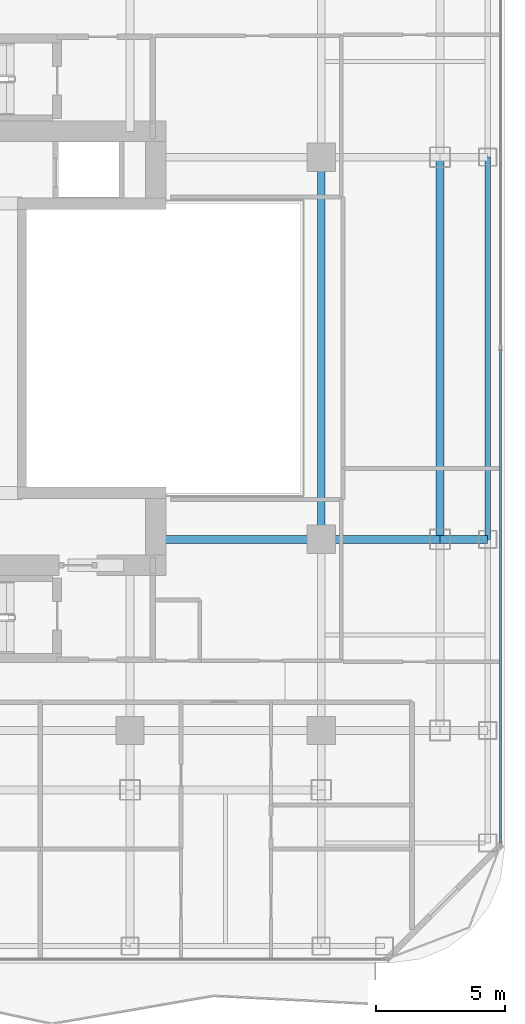
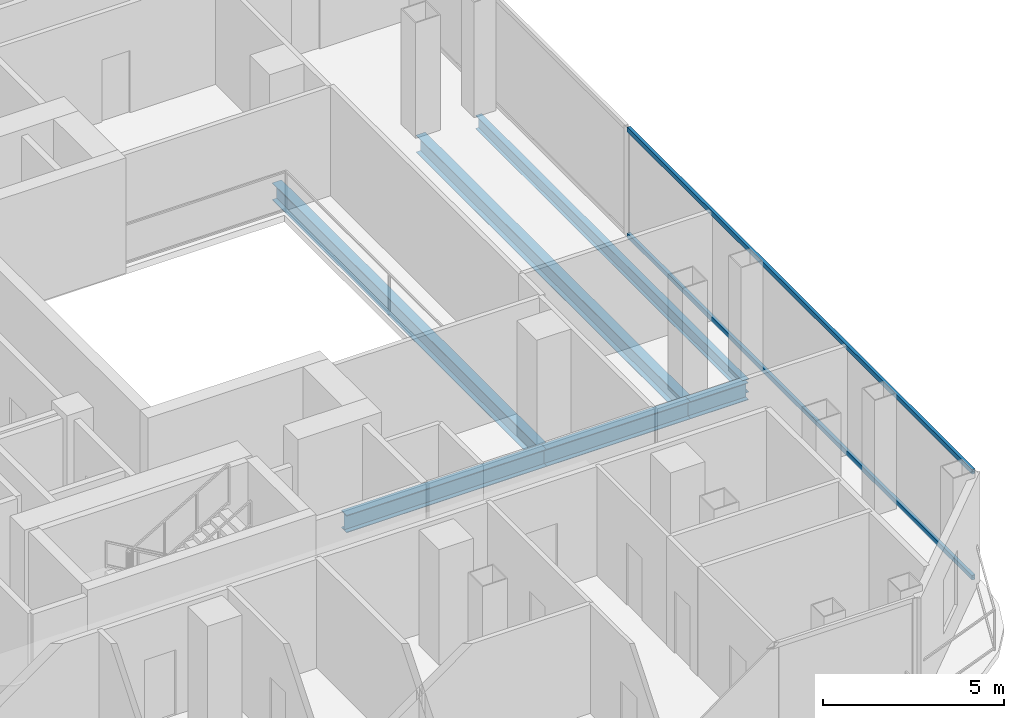
# One storey, part 8 of 26: 6 beams, 2 members, 1 element without a shape of its own.
"""IFC4 building model written with IfcOpenShell, lengths in metres."""

from ifc_helpers import new_model, si_unit, direction, frame, origin, origin_2d, place, context, subcontext, project, spatial, hollow_rectangle, i_section, extrude, material, layer, layer_set, material_profile, profile_set, type_object, element, aggregate, save


model = new_model("IFC4")

# Units and contexts
model_context = context("Model", 3, precision=1e-05, world=origin(), true_north=direction((0.0, 1.0)))
body_context = subcontext(model_context, "Body", "Model", "MODEL_VIEW")
ifc_project = project(units=[si_unit("LENGTHUNIT", "METRE"), si_unit("AREAUNIT", "SQUARE_METRE"), si_unit("VOLUMEUNIT", "CUBIC_METRE"), si_unit("PLANEANGLEUNIT", "RADIAN"), si_unit("MASSUNIT", "GRAM", prefix="KILO")], contexts=[model_context])

# Site, building, storey
site_placement = place(None, origin())
site = spatial("IfcSite", under=ifc_project, at=site_placement, CompositionType="ELEMENT")
building_placement = place(site_placement, origin())
building = spatial("IfcBuilding", under=site, at=building_placement, Name="Khorvyn Point Tower", CompositionType="ELEMENT")
storey_placement = place(building_placement, frame((0.0, 0.0, 183.60009765625)))
storey = spatial("IfcBuildingStorey", under=building, at=storey_placement, Name="L45", CompositionType="ELEMENT", Elevation=183.60009765625)

# Curtain wall, members
ifc_material_1 = material(Name="Anodised aluminium 6063-T6 and laminated Low-E glass", Category="aluminium")
ifc_layer = layer(ifc_material_1, 0.18994140625)
ifc_layer_set = layer_set([ifc_layer], Name="Stick-Built Acoustic Curtain Wall CW-SYS-03")
curtain_wall_type = type_object("IfcCurtainWallType", Name="Stick-Built Acoustic Curtain Wall CW-SYS-03", PredefinedType="NOTDEFINED", material=ifc_layer_set)
curtain_wall_placement = place(storey_placement, origin())
curtain_wall = element("IfcCurtainWall", 1, at=curtain_wall_placement, inside=storey, type_object=curtain_wall_type, Name="Curtain Wall", PredefinedType="NOTDEFINED")
ifc_material_2 = material(Name="Anodised aluminium 6063-T6", Category="aluminium")
ifc_material_profile_1 = material_profile(ifc_material_2, hollow_rectangle(XDim=0.10009765625, YDim=0.159912109375, WallThickness=0.00439453125, at=origin_2d()))
ifc_profile_set_1 = profile_set([ifc_material_profile_1], Name="Anodised aluminium 6063-T6 ALU-TRN-100x160")
member_type = type_object("IfcMemberType", Name="Anodised Aluminium 6063-T6 Transom ALU-TRN-100x160", PredefinedType="USERDEFINED", material=ifc_profile_set_1)
member_1_placement = place(storey_placement, frame((21.75, -0.050048828125, 0.0498046875), z_axis=(0.0, -1.0, 0.0), x_axis=(1.0, 0.0, 0.0)))
member_1 = element("IfcMember", 2, at=member_1_placement, type_object=member_type, Name="Transom", ObjectType="TRANSOM", PredefinedType="USERDEFINED", context=body_context, shape_type="SweptSolid", body=[
    extrude(hollow_rectangle(XDim=0.10009765625, YDim=0.159912109375, WallThickness=0.00439453125, at=origin_2d()), origin(), (0.0, 0.0, 1.0), 19.099853515625),
])
member_2_placement = place(storey_placement, frame((21.75, -0.050048828125, 3.6298828125), z_axis=(0.0, -1.0, 0.0), x_axis=(1.0, 0.0, 0.0)))
member_2 = element("IfcMember", 3, at=member_2_placement, type_object=member_type, Name="Transom", ObjectType="TRANSOM", PredefinedType="USERDEFINED", context=body_context, shape_type="SweptSolid", body=[
    extrude(hollow_rectangle(XDim=0.10009765625, YDim=0.159912109375, WallThickness=0.00439453125, at=origin_2d()), origin(), (0.0, 0.0, 1.0), 19.099853515625),
])
aggregate(curtain_wall, [member_1, member_2])

# Beams
ifc_material_3 = material(Name="Steel S355", Category="steel")
ifc_material_profile_2 = material_profile(ifc_material_3, i_section(OverallWidth=0.300048828125, OverallDepth=0.587890625, WebThickness=0.011962890625, FlangeThickness=0.02001953125, at=origin_2d()))
ifc_profile_set_2 = profile_set([ifc_material_profile_2], Name="Steel S355 H588x300x12x20")
beam_type_1 = type_object("IfcBeamType", Name="Steel S355 Beam H588x300x12x20", PredefinedType="BEAM", material=ifc_profile_set_2)
beam_1_placement = place(storey_placement, frame((8.39990234375, -7.39990234375, -0.51416015625), z_axis=(1.0, 0.0, 0.0), x_axis=(0.0, 1.0, 0.0)))
element("IfcBeam", 4, at=beam_1_placement, inside=storey, type_object=beam_type_1, Name="Beam", PredefinedType="BEAM", context=body_context, shape_type="SweptSolid", body=[
    extrude(i_section(OverallWidth=0.300048828125, OverallDepth=0.587890625, WebThickness=0.011962890625, FlangeThickness=0.02001953125, at=origin_2d()), origin(), (0.0, 0.0, 1.0), 6.400146484375),
])
beam_2_placement = place(storey_placement, frame((14.800048828125, -7.39990234375, -0.51416015625), z_axis=(1.0, 0.0, 0.0), x_axis=(0.0, 1.0, 0.0)))
element("IfcBeam", 5, at=beam_2_placement, inside=storey, type_object=beam_type_1, Name="Beam", PredefinedType="BEAM", context=body_context, shape_type="SweptSolid", body=[
    extrude(i_section(OverallWidth=0.300048828125, OverallDepth=0.587890625, WebThickness=0.011962890625, FlangeThickness=0.02001953125, at=origin_2d()), origin(), (0.0, 0.0, 1.0), 4.599853515625),
])
beam_3_placement = place(storey_placement, frame((19.39990234375, -7.39990234375, -0.51416015625), z_axis=(1.0, 0.0, 0.0), x_axis=(0.0, 1.0, 0.0)))
element("IfcBeam", 6, at=beam_3_placement, inside=storey, type_object=beam_type_1, Name="Beam", PredefinedType="BEAM", context=body_context, shape_type="SweptSolid", body=[
    extrude(i_section(OverallWidth=0.300048828125, OverallDepth=0.587890625, WebThickness=0.011962890625, FlangeThickness=0.02001953125, at=origin_2d()), origin(), (0.0, 0.0, 1.0), 1.85009765625),
])
for number, where, z_axis, x_axis, name in (
    (7, (14.800048828125, -7.39990234375, -0.51416015625), (0.0, 1.0, 0.0), (-1.0, 0.0, 0.0), "Beam"),
    (8, (19.39990234375, -7.39990234375, -0.51416015625), (0.0, 1.0, 0.0), (-1.0, 0.0, 0.0), "Beam"),
):
    element("IfcBeam", number, at=place(storey_placement, frame(where, z_axis=z_axis, x_axis=x_axis)), inside=storey, type_object=beam_type_1, Name=name, PredefinedType="BEAM", context=body_context, shape_type="SweptSolid", body=[
        extrude(i_section(OverallWidth=0.300048828125, OverallDepth=0.587890625, WebThickness=0.011962890625, FlangeThickness=0.02001953125, at=origin_2d()), origin(), (0.0, 0.0, 1.0), 14.7998046875),
    ])
ifc_material_profile_3 = material_profile(ifc_material_3, i_section(OverallWidth=0.199951171875, OverallDepth=0.449951171875, WebThickness=0.009033203125, FlangeThickness=0.013916015625, at=origin_2d()))
ifc_profile_set_3 = profile_set([ifc_material_profile_3], Name="Steel S355 H450x200x9x14")
beam_type_2 = type_object("IfcBeamType", Name="Steel S355 Spandrel H450x200x9x14", PredefinedType="SPANDREL", material=ifc_profile_set_3)
beam_4_placement = place(storey_placement, frame((21.25, -7.39990234375, -0.445068359375), z_axis=(0.0, 1.0, 0.0), x_axis=(-1.0, 0.0, 0.0)))
element("IfcBeam", 9, at=beam_4_placement, inside=storey, type_object=beam_type_2, Name="Beam", PredefinedType="SPANDREL", context=body_context, shape_type="SweptSolid", body=[
    extrude(i_section(OverallWidth=0.199951171875, OverallDepth=0.449951171875, WebThickness=0.009033203125, FlangeThickness=0.013916015625, at=origin_2d()), origin(), (0.0, 0.0, 1.0), 14.7998046875),
])

save(model, "model.ifc")
